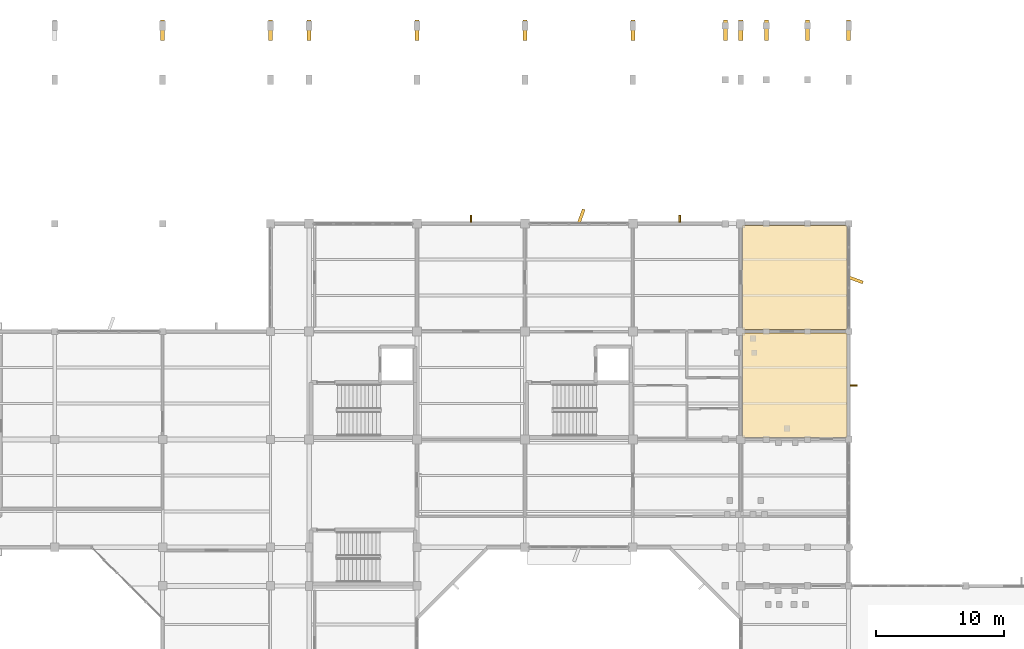
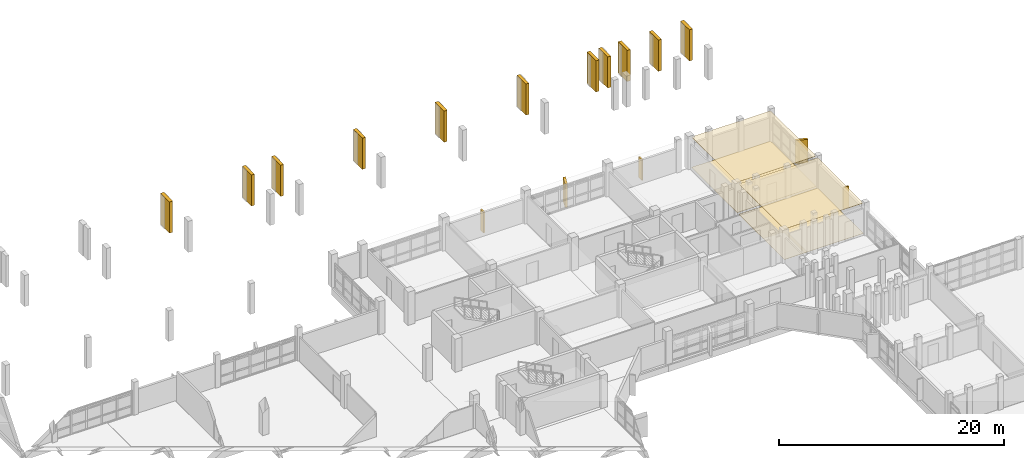
# One storey, part 99 of 104: 17 coverings, 3 shading devices.
"""IFC4 building model written with IfcOpenShell, lengths in metres."""

from ifc_helpers import new_model, si_unit, direction, frame, origin, origin_2d, place, context, subcontext, project, spatial, polyline, rectangle, outline, extrude, material, layer, layer_set, type_object, element, save


model = new_model("IFC4")

# Units and contexts
model_context = context("Model", 3, precision=1e-05, world=origin(), true_north=direction((0.0, 1.0)))
body_context = subcontext(model_context, "Body", "Model", "MODEL_VIEW")
ifc_project = project(units=[si_unit("LENGTHUNIT", "METRE"), si_unit("AREAUNIT", "SQUARE_METRE"), si_unit("VOLUMEUNIT", "CUBIC_METRE"), si_unit("PLANEANGLEUNIT", "RADIAN"), si_unit("MASSUNIT", "GRAM", prefix="KILO")], contexts=[model_context])

# Site, building, storey
site_placement = place(None, origin())
site = spatial("IfcSite", under=ifc_project, at=site_placement, CompositionType="ELEMENT")
building_placement = place(site_placement, origin())
building = spatial("IfcBuilding", under=site, at=building_placement, Name="Vanh Quang Courtyard School", CompositionType="ELEMENT")
storey_placement = place(building_placement, frame((0.0, 0.0, 4.199951171875)))
storey = spatial("IfcBuildingStorey", under=building, at=storey_placement, Name="L01", CompositionType="ELEMENT", Elevation=4.199951171875)

# Coverings
ifc_material_1 = material(Name="Perforated mineral-fibre acoustic ceiling board")
ifc_layer_1 = layer(ifc_material_1, 0.02490234375)
ifc_layer_set_1 = layer_set([ifc_layer_1], Name="Perforated mineral-fibre acoustic ceiling board")
covering_type_1 = type_object("IfcCoveringType", Name="COV-CEIL-ACOUSTIC", PredefinedType="CEILING", material=ifc_layer_set_1)
covering_1_placement = place(storey_placement, frame((0.0, 0.0, 3.295166015625)))
element("IfcCovering", 1, at=covering_1_placement, inside=storey, type_object=covering_type_1, Name="Covering CV-CL1 (L01)", PredefinedType="CEILING", context=body_context, shape_type="SweptSolid", body=[
    extrude(outline(polyline([(111.159912109375, 79.949951171875), (111.158935546875, 79.949951171875), (111.157958984375, 79.9501953125), (111.156982421875, 79.950439453125), (111.15625, 79.95068359375), (111.1552734375, 79.951171875), (111.154296875, 79.95166015625), (111.15380859375, 79.952392578125), (111.15283203125, 79.952880859375), (111.15234375, 79.95361328125), (111.151611328125, 79.954345703125), (111.151123046875, 79.955322265625), (111.15087890625, 79.956298828125), (111.150390625, 79.95703125), (111.150146484375, 79.9580078125), (111.14990234375, 79.958984375), (111.14990234375, 79.9599609375), (111.14990234375, 82.05908203125), (111.130126953125, 82.16552734375), (111.1298828125, 82.16650390625), (111.1298828125, 82.16748046875), (111.1298828125, 82.252685546875), (111.1298828125, 82.25341796875), (111.130126953125, 82.25439453125), (111.14990234375, 82.36083984375), (111.14990234375, 84.458984375), (111.130126953125, 84.565673828125), (111.1298828125, 84.56640625), (111.1298828125, 84.5673828125), (111.1298828125, 84.652587890625), (111.1298828125, 84.653564453125), (111.130126953125, 84.654296875), (111.14990234375, 84.760986328125), (111.14990234375, 88.06005859375), (111.14990234375, 88.06103515625), (111.150146484375, 88.06201171875), (111.150390625, 88.06298828125), (111.15087890625, 88.063720703125), (111.151123046875, 88.064697265625), (111.151611328125, 88.065673828125), (111.15234375, 88.06640625), (111.15283203125, 88.067138671875), (111.15380859375, 88.067626953125), (111.154296875, 88.068359375), (111.1552734375, 88.06884765625), (111.15625, 88.069091796875), (111.156982421875, 88.069580078125), (111.157958984375, 88.06982421875), (111.158935546875, 88.070068359375), (111.159912109375, 88.070068359375), (119.260009765625, 88.070068359375), (119.260986328125, 88.070068359375), (119.261962890625, 88.06982421875), (119.262939453125, 88.069580078125), (119.263916015625, 88.069091796875), (119.2646484375, 88.06884765625), (119.265625, 88.068359375), (119.266357421875, 88.067626953125), (119.26708984375, 88.067138671875), (119.267578125, 88.06640625), (119.268310546875, 88.065673828125), (119.268798828125, 88.064697265625), (119.269287109375, 88.063720703125), (119.26953125, 88.06298828125), (119.269775390625, 88.06201171875), (119.27001953125, 88.06103515625), (119.27001953125, 88.06005859375), (119.27001953125, 79.9599609375), (119.27001953125, 79.958984375), (119.269775390625, 79.9580078125), (119.26953125, 79.95703125), (119.269287109375, 79.956298828125), (119.268798828125, 79.955322265625), (119.268310546875, 79.954345703125), (119.267578125, 79.95361328125), (119.26708984375, 79.952880859375), (119.266357421875, 79.952392578125), (119.265625, 79.95166015625), (119.2646484375, 79.951171875), (119.263916015625, 79.95068359375), (119.262939453125, 79.950439453125), (119.261962890625, 79.9501953125), (119.260986328125, 79.949951171875), (119.260009765625, 79.949951171875), (111.159912109375, 79.949951171875)])), origin(), (0.0, 0.0, 1.0), 0.02490234375),
])
covering_2_placement = place(storey_placement, frame((0.0, 0.0, 3.295166015625)))
element("IfcCovering", 2, at=covering_2_placement, inside=storey, type_object=covering_type_1, Name="Covering CV-CL1 (L01)", PredefinedType="CEILING", context=body_context, shape_type="SweptSolid", body=[
    extrude(outline(polyline([(111.159912109375, 88.35009765625), (111.158935546875, 88.35009765625), (111.157958984375, 88.35009765625), (111.156982421875, 88.350341796875), (111.15625, 88.350830078125), (111.1552734375, 88.351318359375), (111.154296875, 88.351806640625), (111.15380859375, 88.352294921875), (111.15283203125, 88.352783203125), (111.15234375, 88.353759765625), (111.151611328125, 88.3544921875), (111.151123046875, 88.355224609375), (111.15087890625, 88.356201171875), (111.150390625, 88.357177734375), (111.150146484375, 88.35791015625), (111.14990234375, 88.35888671875), (111.14990234375, 88.360107421875), (111.14990234375, 96.4599609375), (111.14990234375, 96.4609375), (111.150146484375, 96.4619140625), (111.150390625, 96.462890625), (111.15087890625, 96.4638671875), (111.151123046875, 96.464599609375), (111.151611328125, 96.465576171875), (111.15234375, 96.46630859375), (111.15283203125, 96.467041015625), (111.15380859375, 96.4677734375), (111.154296875, 96.46826171875), (111.1552734375, 96.46875), (111.15625, 96.46923828125), (111.156982421875, 96.469482421875), (111.157958984375, 96.4697265625), (111.158935546875, 96.469970703125), (111.159912109375, 96.469970703125), (119.260009765625, 96.469970703125), (119.260986328125, 96.469970703125), (119.261962890625, 96.4697265625), (119.262939453125, 96.469482421875), (119.263916015625, 96.46923828125), (119.2646484375, 96.46875), (119.265625, 96.46826171875), (119.266357421875, 96.4677734375), (119.26708984375, 96.467041015625), (119.267578125, 96.46630859375), (119.268310546875, 96.465576171875), (119.268798828125, 96.464599609375), (119.269287109375, 96.4638671875), (119.26953125, 96.462890625), (119.269775390625, 96.4619140625), (119.27001953125, 96.4609375), (119.27001953125, 96.4599609375), (119.27001953125, 88.360107421875), (119.27001953125, 88.35888671875), (119.269775390625, 88.35791015625), (119.26953125, 88.357177734375), (119.269287109375, 88.356201171875), (119.268798828125, 88.355224609375), (119.268310546875, 88.3544921875), (119.267578125, 88.353759765625), (119.26708984375, 88.352783203125), (119.266357421875, 88.352294921875), (119.265625, 88.351806640625), (119.2646484375, 88.351318359375), (119.263916015625, 88.350830078125), (119.262939453125, 88.350341796875), (119.261962890625, 88.35009765625), (119.260986328125, 88.35009765625), (119.260009765625, 88.35009765625), (111.159912109375, 88.35009765625)])), origin(), (0.0, 0.0, 1.0), 0.02490234375),
])
ifc_material_2 = material(Name="Polished cementitious terrazzo tile", Category="concrete")
ifc_layer_2 = layer(ifc_material_2, 0.02001953125)
ifc_layer_set_2 = layer_set([ifc_layer_2], Name="Polished cementitious terrazzo tile")
covering_type_2 = type_object("IfcCoveringType", Name="COV-FLR-TERRAZZO", PredefinedType="FLOORING", material=ifc_layer_set_2)
covering_3_placement = place(storey_placement, origin())
element("IfcCovering", 3, at=covering_3_placement, inside=storey, type_object=covering_type_2, Name="Covering CV-FL1 (L01)", PredefinedType="FLOORING", context=body_context, shape_type="SweptSolid", body=[
    extrude(outline(polyline([(111.159912109375, 79.949951171875), (111.158935546875, 79.949951171875), (111.157958984375, 79.9501953125), (111.156982421875, 79.950439453125), (111.15625, 79.95068359375), (111.1552734375, 79.951171875), (111.154296875, 79.95166015625), (111.15380859375, 79.952392578125), (111.15283203125, 79.952880859375), (111.15234375, 79.95361328125), (111.151611328125, 79.954345703125), (111.151123046875, 79.955322265625), (111.15087890625, 79.956298828125), (111.150390625, 79.95703125), (111.150146484375, 79.9580078125), (111.14990234375, 79.958984375), (111.14990234375, 79.9599609375), (111.14990234375, 82.05908203125), (111.130126953125, 82.16552734375), (111.1298828125, 82.16650390625), (111.1298828125, 82.16748046875), (111.1298828125, 82.252685546875), (111.1298828125, 82.25341796875), (111.130126953125, 82.25439453125), (111.14990234375, 82.36083984375), (111.14990234375, 84.458984375), (111.130126953125, 84.565673828125), (111.1298828125, 84.56640625), (111.1298828125, 84.5673828125), (111.1298828125, 84.652587890625), (111.1298828125, 84.653564453125), (111.130126953125, 84.654296875), (111.14990234375, 84.760986328125), (111.14990234375, 88.06005859375), (111.14990234375, 88.06103515625), (111.150146484375, 88.06201171875), (111.150390625, 88.06298828125), (111.15087890625, 88.063720703125), (111.151123046875, 88.064697265625), (111.151611328125, 88.065673828125), (111.15234375, 88.06640625), (111.15283203125, 88.067138671875), (111.15380859375, 88.067626953125), (111.154296875, 88.068359375), (111.1552734375, 88.06884765625), (111.15625, 88.069091796875), (111.156982421875, 88.069580078125), (111.157958984375, 88.06982421875), (111.158935546875, 88.070068359375), (111.159912109375, 88.070068359375), (119.260009765625, 88.070068359375), (119.260986328125, 88.070068359375), (119.261962890625, 88.06982421875), (119.262939453125, 88.069580078125), (119.263916015625, 88.069091796875), (119.2646484375, 88.06884765625), (119.265625, 88.068359375), (119.266357421875, 88.067626953125), (119.26708984375, 88.067138671875), (119.267578125, 88.06640625), (119.268310546875, 88.065673828125), (119.268798828125, 88.064697265625), (119.269287109375, 88.063720703125), (119.26953125, 88.06298828125), (119.269775390625, 88.06201171875), (119.27001953125, 88.06103515625), (119.27001953125, 88.06005859375), (119.27001953125, 79.9599609375), (119.27001953125, 79.958984375), (119.269775390625, 79.9580078125), (119.26953125, 79.95703125), (119.269287109375, 79.956298828125), (119.268798828125, 79.955322265625), (119.268310546875, 79.954345703125), (119.267578125, 79.95361328125), (119.26708984375, 79.952880859375), (119.266357421875, 79.952392578125), (119.265625, 79.95166015625), (119.2646484375, 79.951171875), (119.263916015625, 79.95068359375), (119.262939453125, 79.950439453125), (119.261962890625, 79.9501953125), (119.260986328125, 79.949951171875), (119.260009765625, 79.949951171875), (111.159912109375, 79.949951171875)])), origin(), (0.0, 0.0, 1.0), 0.02001953125),
])
covering_4_placement = place(storey_placement, origin())
element("IfcCovering", 4, at=covering_4_placement, inside=storey, type_object=covering_type_2, Name="Covering CV-FL1 (L01)", PredefinedType="FLOORING", context=body_context, shape_type="SweptSolid", body=[
    extrude(outline(polyline([(111.159912109375, 88.35009765625), (111.158935546875, 88.35009765625), (111.157958984375, 88.35009765625), (111.156982421875, 88.350341796875), (111.15625, 88.350830078125), (111.1552734375, 88.351318359375), (111.154296875, 88.351806640625), (111.15380859375, 88.352294921875), (111.15283203125, 88.352783203125), (111.15234375, 88.353759765625), (111.151611328125, 88.3544921875), (111.151123046875, 88.355224609375), (111.15087890625, 88.356201171875), (111.150390625, 88.357177734375), (111.150146484375, 88.35791015625), (111.14990234375, 88.35888671875), (111.14990234375, 88.360107421875), (111.14990234375, 96.4599609375), (111.14990234375, 96.4609375), (111.150146484375, 96.4619140625), (111.150390625, 96.462890625), (111.15087890625, 96.4638671875), (111.151123046875, 96.464599609375), (111.151611328125, 96.465576171875), (111.15234375, 96.46630859375), (111.15283203125, 96.467041015625), (111.15380859375, 96.4677734375), (111.154296875, 96.46826171875), (111.1552734375, 96.46875), (111.15625, 96.46923828125), (111.156982421875, 96.469482421875), (111.157958984375, 96.4697265625), (111.158935546875, 96.469970703125), (111.159912109375, 96.469970703125), (119.260009765625, 96.469970703125), (119.260986328125, 96.469970703125), (119.261962890625, 96.4697265625), (119.262939453125, 96.469482421875), (119.263916015625, 96.46923828125), (119.2646484375, 96.46875), (119.265625, 96.46826171875), (119.266357421875, 96.4677734375), (119.26708984375, 96.467041015625), (119.267578125, 96.46630859375), (119.268310546875, 96.465576171875), (119.268798828125, 96.464599609375), (119.269287109375, 96.4638671875), (119.26953125, 96.462890625), (119.269775390625, 96.4619140625), (119.27001953125, 96.4609375), (119.27001953125, 96.4599609375), (119.27001953125, 88.360107421875), (119.27001953125, 88.35888671875), (119.269775390625, 88.35791015625), (119.26953125, 88.357177734375), (119.269287109375, 88.356201171875), (119.268798828125, 88.355224609375), (119.268310546875, 88.3544921875), (119.267578125, 88.353759765625), (119.26708984375, 88.352783203125), (119.266357421875, 88.352294921875), (119.265625, 88.351806640625), (119.2646484375, 88.351318359375), (119.263916015625, 88.350830078125), (119.262939453125, 88.350341796875), (119.261962890625, 88.35009765625), (119.260986328125, 88.35009765625), (119.260009765625, 88.35009765625), (111.159912109375, 88.35009765625)])), origin(), (0.0, 0.0, 1.0), 0.02001953125),
])
ifc_material_3 = material(Name="Board-marked precast concrete C40/50", Category="concrete")
ifc_layer_3 = layer(ifc_material_3, 0.239990234375)
ifc_layer_set_3 = layer_set([ifc_layer_3], Name="Board-marked precast concrete C40/50")
covering_type_3 = type_object("IfcCoveringType", Name="COV-HOOD-CONC", PredefinedType="CLADDING", material=ifc_layer_set_3)
for number, where, z_axis, x_axis, name in (
    (5, (98.590087890625, 97.18505859375, 0.0), (0.0, 0.0, 1.0), (0.340379550213, 0.94028812701, 0.0), "Covering CH-01 (L01)"),
    (6, (119.985107421875, 92.2099609375, 0.0), (0.0, 0.0, 1.0), (0.94028812701, -0.340379550213, 0.0), "Covering CH-01 (L01)"),
):
    element("IfcCovering", number, at=place(storey_placement, frame(where, z_axis=z_axis, x_axis=x_axis)), inside=storey, type_object=covering_type_3, Name=name, PredefinedType="CLADDING", context=body_context, shape_type="SweptSolid", body=[
        extrude(rectangle(XDim=1.11669921875, YDim=0.239990234375, at=origin_2d()), origin(), (0.0, 0.0, 1.0), 2.56005859375),
    ])
for number, where, z_axis, x_axis, name in (
    (7, (66.0, 111.64990234375, 0.0), (0.0, 0.0, 1.0), (0.0, 1.0, 0.0), "Covering CH-01 (L01)"),
    (8, (74.39990234375, 111.64990234375, 0.0), (0.0, 0.0, 1.0), (0.0, 1.0, 0.0), "Covering CH-01 (L01)"),
    (9, (77.39990234375, 111.64990234375, 0.0), (0.0, 0.0, 1.0), (0.0, 1.0, 0.0), "Covering CH-01 (L01)"),
    (10, (85.800048828125, 111.64990234375, 0.0), (0.0, 0.0, 1.0), (0.0, 1.0, 0.0), "Covering CH-01 (L01)"),
    (11, (94.199951171875, 111.64990234375, 0.0), (0.0, 0.0, 1.0), (0.0, 1.0, 0.0), "Covering CH-01 (L01)"),
    (12, (102.60009765625, 111.64990234375, 0.0), (0.0, 0.0, 1.0), (0.0, 1.0, 0.0), "Covering CH-01 (L01)"),
    (13, (111.0, 111.64990234375, 0.0), (0.0, 0.0, 1.0), (0.0, 1.0, 0.0), "Covering CH-01 (L01)"),
    (14, (119.39990234375, 111.64990234375, 0.0), (0.0, 0.0, 1.0), (0.0, 1.0, 0.0), "Covering CH-01 (L01)"),
    (15, (116.199951171875, 111.64990234375, 0.0), (0.0, 0.0, 1.0), (0.0, 1.0, 0.0), "Covering CH-01 (L01)"),
    (16, (113.0, 111.64990234375, 0.0), (0.0, 0.0, 1.0), (0.0, 1.0, 0.0), "Covering CH-01 (L01)"),
    (17, (109.800048828125, 111.64990234375, 0.0), (0.0, 0.0, 1.0), (0.0, 1.0, 0.0), "Covering CH-01 (L01)"),
):
    element("IfcCovering", number, at=place(storey_placement, frame(where, z_axis=z_axis, x_axis=x_axis)), inside=storey, type_object=covering_type_3, Name=name, PredefinedType="CLADDING", context=body_context, shape_type="SweptSolid", body=[
        extrude(rectangle(XDim=1.60009765625, YDim=0.320068359375, at=origin_2d()), origin(), (0.0, 0.0, 1.0), 3.3798828125),
    ])

# Shading devices
shading_device_type = type_object("IfcShadingDeviceType", Name="SHD-FIN-CONCRETE", PredefinedType="USERDEFINED", material=ifc_material_3)
for number, where, z_axis, x_axis, name in (
    (18, (90.0, 96.9951171875, 0.150146484375), (0.0, 0.0, 1.0), (1.0, 0.0, 0.0), "Solar Shading SH-02 (L01)"),
    (19, (106.25, 96.9951171875, 0.150146484375), (0.0, 0.0, 1.0), (1.0, 0.0, 0.0), "Solar Shading SH-02 (L01)"),
):
    element("IfcShadingDevice", number, at=place(storey_placement, frame(where, z_axis=z_axis, x_axis=x_axis)), inside=storey, type_object=shading_device_type, Name=name, ObjectType="Solar Shading SH-02 (L01)", PredefinedType="USERDEFINED", context=body_context, shape_type="SweptSolid", body=[
        extrude(rectangle(XDim=0.139892578125, YDim=0.550048828125, at=origin_2d()), origin(), (0.0, 0.0, 1.0), 2.27001953125),
    ])
shading_device_placement = place(storey_placement, frame((119.794921875, 84.0, 0.14990234375), z_axis=(0.0, 0.0, 1.0), x_axis=(0.0, -1.0, 0.0)))
element("IfcShadingDevice", 20, at=shading_device_placement, inside=storey, type_object=shading_device_type, Name="Solar Shading SH-02 (L01)", ObjectType="Solar Shading SH-02 (L01)", PredefinedType="USERDEFINED", context=body_context, shape_type="SweptSolid", body=[
    extrude(rectangle(XDim=0.139892578125, YDim=0.550048828125, at=origin_2d()), origin(), (0.0, 0.0, 1.0), 2.320068359375),
])

save(model, "model.ifc")
